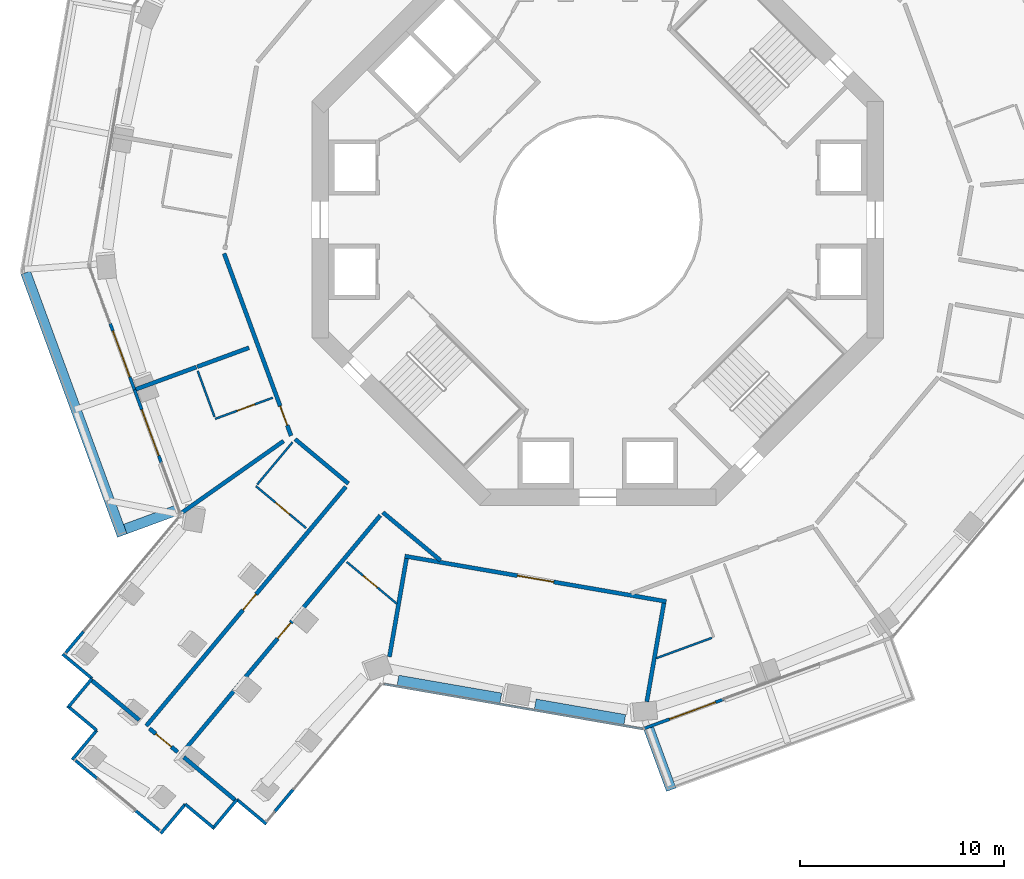
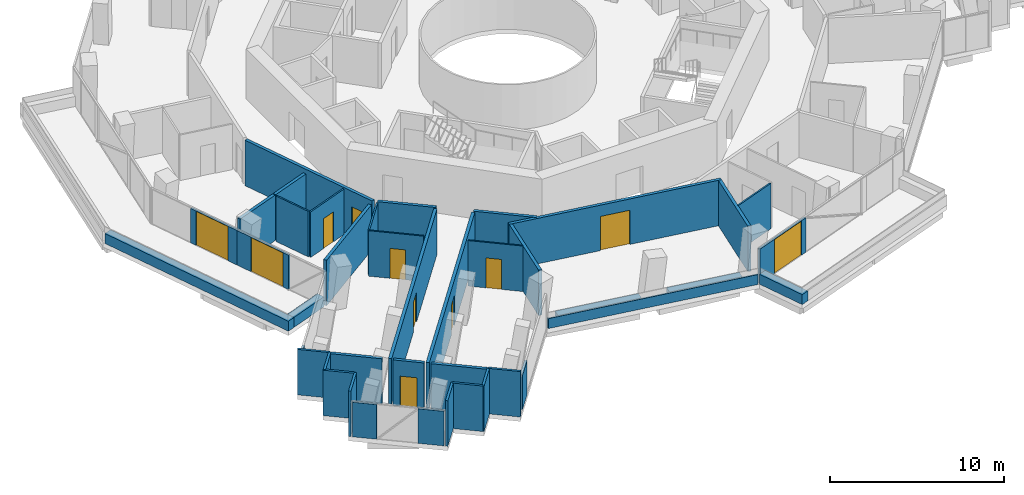
# One storey, part 16 of 24: 41 walls, 11 doors, 11 openings.
"""IFC4 building model written with IfcOpenShell, lengths in metres."""

from ifc_helpers import new_model, si_unit, direction, frame, frame_2d, origin, place, context, subcontext, project, spatial, rectangle, extrude, material, layer, layer_set, type_object, element, fill, save


model = new_model("IFC4")

# Units and contexts
model_context = context("Model", 3, precision=1e-05, world=origin(), true_north=direction((0.0, 1.0)))
body_context = subcontext(model_context, "Body", "Model", "MODEL_VIEW")
ifc_project = project(units=[si_unit("LENGTHUNIT", "METRE"), si_unit("AREAUNIT", "SQUARE_METRE"), si_unit("VOLUMEUNIT", "CUBIC_METRE"), si_unit("PLANEANGLEUNIT", "RADIAN"), si_unit("MASSUNIT", "GRAM", prefix="KILO")], contexts=[model_context])

# Site, building, storey
site_placement = place(None, origin())
site = spatial("IfcSite", under=ifc_project, at=site_placement, CompositionType="ELEMENT")
building_placement = place(site_placement, origin())
building = spatial("IfcBuilding", under=site, at=building_placement, Name="Verdalira Terraces Hotel", CompositionType="ELEMENT")
storey_placement = place(building_placement, frame((0.0, 0.0, 115.0)))
storey = spatial("IfcBuildingStorey", under=building, at=storey_placement, Name="L27", CompositionType="ELEMENT", Elevation=115.0)

# Walls
ifc_material_1 = material(Name="Concrete C40", Category="concrete")
ifc_layer_1 = layer(ifc_material_1, 0.5)
ifc_layer_set_1 = layer_set([ifc_layer_1], Name="Balcony planter trough with tree")
wall_type_1 = type_object("IfcWallType", Name="Balcony planter trough with tree", PredefinedType="SOLIDWALL", material=ifc_layer_set_1)
wall_1_placement = place(storey_placement, frame((-28.031006, -2.596191, 0.0), z_axis=(0.0, 0.0, 1.0), x_axis=(0.344642477, -0.938734022, 0.0)))
element("IfcWall", 1, at=wall_1_placement, inside=storey, type_object=wall_type_1, Name="Balcony planter", PredefinedType="SOLIDWALL", context=body_context, shape_type="SweptSolid", body=[
    extrude(rectangle(XDim=13.723633, YDim=0.5, at=frame_2d((6.861816, 0.0))), origin(), (0.0, 0.0, 1.0), 0.699951),
])
wall_2_placement = place(storey_placement, frame((-23.152588, -15.158203, 0.0), z_axis=(0.0, 0.0, 1.0), x_axis=(0.93869784, 0.344741011, 0.0)))
element("IfcWall", 2, at=wall_2_placement, inside=storey, type_object=wall_type_1, Name="Balcony planter", PredefinedType="SOLIDWALL", context=body_context, shape_type="SweptSolid", body=[
    extrude(rectangle(XDim=2.698975, YDim=0.5, at=frame_2d((1.349609, 0.0))), origin(), (0.0, 0.0, 1.0), 0.699951),
])
wall_3_placement = place(storey_placement, frame((2.493652, -24.927002, 0.0), z_axis=(0.0, 0.0, 1.0), x_axis=(0.344633575, -0.93873729, 0.0)))
element("IfcWall", 3, at=wall_3_placement, inside=storey, type_object=wall_type_1, Name="Balcony planter", PredefinedType="SOLIDWALL", context=body_context, shape_type="SweptSolid", body=[
    extrude(rectangle(XDim=3.199219, YDim=0.5, at=frame_2d((1.599609, 0.0))), origin(), (0.0, 0.0, 1.0), 0.699951),
])
ifc_material_2 = material(Name="Moisture-resistant gypsum board partition")
ifc_layer_2 = layer(ifc_material_2, 0.10009765625)
ifc_layer_set_2 = layer_set([ifc_layer_2], Name="Bathroom partition 100 mm")
wall_type_2 = type_object("IfcWallType", Name="Bathroom partition 100 mm", PredefinedType="PARTITIONING", material=ifc_layer_set_2)
wall_4_placement = place(storey_placement, frame((-18.77832, -9.663818, 0.0), z_axis=(0.0, 0.0, 1.0), x_axis=(-0.34464917, 0.938731564, 0.0)))
element("IfcWall", 4, at=wall_4_placement, inside=storey, type_object=wall_type_2, Name="Bathroom partition", PredefinedType="PARTITIONING", context=body_context, shape_type="SweptSolid", body=[
    extrude(rectangle(XDim=2.399902, YDim=0.100098, at=frame_2d((1.199951, 0.0))), origin(), (0.0, 0.0, 1.0), 3.189941),
])

# Wall, opening, door
wall_5_placement = place(storey_placement, frame((-18.743896, -9.757812, 0.0), z_axis=(0.0, 0.0, 1.0), x_axis=(0.93874123, 0.344622842, 0.0)))
wall_5 = element("IfcWall", 5, at=wall_5_placement, inside=storey, type_object=wall_type_2, Name="Bathroom partition", PredefinedType="PARTITIONING", context=body_context, shape_type="SweptSolid", body=[
    extrude(rectangle(XDim=3.000244, YDim=0.100098, at=frame_2d((1.5, 0.0))), origin(), (0.0, 0.0, 1.0), 3.189941),
])
opening_1_placement = place(wall_5_placement, frame((1.149902, 0.0, 0.0)))
opening_1 = element("IfcOpeningElement", 6, at=opening_1_placement, cuts=wall_5, Name="Opening L27-111", PredefinedType="OPENING", context=body_context, shape_type="SweptSolid", body=[
    extrude(rectangle(XDim=0.899902, YDim=2.100098, at=frame_2d((0.449951, 1.050049))), frame((0.0, 0.060059, 0.0), z_axis=(0.0, -1.0, 0.0), x_axis=(1.0, 0.0, 0.0)), (0.0, 0.0, 1.0), 0.120117),
])
ifc_material_3 = material(Name="Timber door", Category="wood")
door_type_1 = type_object("IfcDoorType", Name="Bathroom door 900 x 2100", OperationType="NOTDEFINED", PredefinedType="DOOR", material=ifc_material_3)
door_1_placement = place(opening_1_placement, origin())
door_1 = element("IfcDoor", 7, at=door_1_placement, inside=storey, type_object=door_type_1, Name="Bathroom door 2705", OperationType="SINGLE_SWING_LEFT", OverallHeight=2.10009765625, OverallWidth=0.89990234375, PredefinedType="DOOR", context=body_context, shape_type="SweptSolid", body=[
    extrude(rectangle(XDim=0.899902, YDim=2.100098, at=frame_2d((0.449951, 1.050049))), frame((0.0, 0.024902, 0.0), z_axis=(0.0, -1.0, 0.0), x_axis=(1.0, 0.0, 0.0)), (0.0, 0.0, 1.0), 0.050049),
])
fill(opening_1, door_1)

# Wall
wall_6_placement = place(storey_placement, frame((-16.689941, -12.979248, 0.0), z_axis=(0.0, 0.0, 1.0), x_axis=(0.640673464, 0.767813462, 0.0)))
element("IfcWall", 8, at=wall_6_placement, inside=storey, type_object=wall_type_2, Name="Bathroom partition", PredefinedType="PARTITIONING", context=body_context, shape_type="SweptSolid", body=[
    extrude(rectangle(XDim=2.699951, YDim=0.100098, at=frame_2d((1.350098, 0.0))), origin(), (0.0, 0.0, 1.0), 3.189941),
])

# Wall, opening, door
wall_7_placement = place(storey_placement, frame((-16.753906, -13.056152, 0.0), z_axis=(0.0, 0.0, 1.0), x_axis=(0.76783341, -0.640649557, 0.0)))
wall_7 = element("IfcWall", 9, at=wall_7_placement, inside=storey, type_object=wall_type_2, Name="Bathroom partition", PredefinedType="PARTITIONING", context=body_context, shape_type="SweptSolid", body=[
    extrude(rectangle(XDim=3.199951, YDim=0.100098, at=frame_2d((1.600098, 0.0))), origin(), (0.0, 0.0, 1.0), 3.189941),
])
opening_2_placement = place(wall_7_placement, frame((1.25, 0.0, 0.0)))
opening_2 = element("IfcOpeningElement", 10, at=opening_2_placement, cuts=wall_7, Name="Opening L27-113", PredefinedType="OPENING", context=body_context, shape_type="SweptSolid", body=[
    extrude(rectangle(XDim=0.899902, YDim=2.100098, at=frame_2d((0.449951, 1.050049))), frame((0.0, 0.060059, 0.0), z_axis=(0.0, -1.0, 0.0), x_axis=(1.0, 0.0, 0.0)), (0.0, 0.0, 1.0), 0.120117),
])
door_2_placement = place(opening_2_placement, origin())
door_2 = element("IfcDoor", 11, at=door_2_placement, inside=storey, type_object=door_type_1, Name="Bathroom door 2706", OperationType="SINGLE_SWING_LEFT", OverallHeight=2.10009765625, OverallWidth=0.89990234375, PredefinedType="DOOR", context=body_context, shape_type="SweptSolid", body=[
    extrude(rectangle(XDim=0.899902, YDim=2.100098, at=frame_2d((0.449951, 1.050049))), frame((0.0, 0.024902, 0.0), z_axis=(0.0, -1.0, 0.0), x_axis=(1.0, 0.0, 0.0)), (0.0, 0.0, 1.0), 0.050049),
])
fill(opening_2, door_2)

wall_8_placement = place(storey_placement, frame((-12.300537, -16.771729, 0.0), z_axis=(0.0, 0.0, 1.0), x_axis=(0.767845845, -0.640634652, 0.0)))
wall_8 = element("IfcWall", 12, at=wall_8_placement, inside=storey, type_object=wall_type_2, Name="Bathroom partition", PredefinedType="PARTITIONING", context=body_context, shape_type="SweptSolid", body=[
    extrude(rectangle(XDim=3.199219, YDim=0.100098, at=frame_2d((1.599609, 0.0))), origin(), (0.0, 0.0, 1.0), 3.189941),
])
opening_3_placement = place(wall_8_placement, frame((1.050049, 0.0, 0.0)))
opening_3 = element("IfcOpeningElement", 13, at=opening_3_placement, cuts=wall_8, Name="Opening L27-116", PredefinedType="OPENING", context=body_context, shape_type="SweptSolid", body=[
    extrude(rectangle(XDim=0.899902, YDim=2.100098, at=frame_2d((0.449951, 1.050049))), frame((0.0, 0.060059, 0.0), z_axis=(0.0, -1.0, 0.0), x_axis=(1.0, 0.0, 0.0)), (0.0, 0.0, 1.0), 0.120117),
])
door_3_placement = place(opening_3_placement, origin())
door_3 = element("IfcDoor", 14, at=door_3_placement, inside=storey, type_object=door_type_1, Name="Bathroom door 2708", OperationType="SINGLE_SWING_RIGHT", OverallHeight=2.10009765625, OverallWidth=0.89990234375, PredefinedType="DOOR", context=body_context, shape_type="SweptSolid", body=[
    extrude(rectangle(XDim=0.899902, YDim=2.100098, at=frame_2d((0.449951, 1.050049))), frame((0.0, 0.024902, 0.0), z_axis=(0.0, -1.0, 0.0), x_axis=(1.0, 0.0, 0.0)), (0.0, 0.0, 1.0), 0.050049),
])
fill(opening_3, door_3)

# Walls
wall_9_placement = place(storey_placement, frame((2.851807, -21.492188, 0.0), z_axis=(0.0, 0.0, 1.0), x_axis=(0.938746168, 0.344609392, 0.0)))
element("IfcWall", 15, at=wall_9_placement, inside=storey, type_object=wall_type_2, Name="Bathroom partition", PredefinedType="PARTITIONING", context=body_context, shape_type="SweptSolid", body=[
    extrude(rectangle(XDim=2.911865, YDim=0.100098, at=frame_2d((1.456055, 0.0))), origin(), (0.0, 0.0, 1.0), 3.189941),
])
ifc_material_4 = material(Name="Fire-rated gypsum board wall")
ifc_layer_3 = layer(ifc_material_4, 0.199951171875)
ifc_layer_set_3 = layer_set([ifc_layer_3], Name="Demising wall 200 mm")
wall_type_3 = type_object("IfcWallType", Name="Demising wall 200 mm", PredefinedType="SOLIDWALL", material=ifc_layer_set_3)
wall_10_placement = place(storey_placement, frame((-24.774414, -22.59082, 0.0), z_axis=(0.0, 0.0, 1.0), x_axis=(0.767861276, -0.640616157, 0.0)))
element("IfcWall", 16, at=wall_10_placement, inside=storey, type_object=wall_type_3, Name="Demising wall", PredefinedType="SOLIDWALL", context=body_context, shape_type="SweptSolid", body=[
    extrude(rectangle(XDim=3.002686, YDim=0.199951, at=frame_2d((1.501465, 0.0))), origin(), (0.0, 0.0, 1.0), 3.189941),
])
wall_11_placement = place(storey_placement, frame((-19.672363, -7.222412, 0.0), z_axis=(0.0, 0.0, 1.0), x_axis=(-0.938751082, -0.344596004, 0.0)))
element("IfcWall", 17, at=wall_11_placement, inside=storey, type_object=wall_type_3, Name="Demising wall", PredefinedType="SOLIDWALL", context=body_context, shape_type="SweptSolid", body=[
    extrude(rectangle(XDim=3.1521, YDim=0.199951, at=frame_2d((1.576172, 0.0))), origin(), (0.0, 0.0, 1.0), 3.189941),
])
wall_12_placement = place(storey_placement, frame((-20.28418, -26.337402, 0.0), z_axis=(0.0, 0.0, 1.0), x_axis=(0.767864248, -0.640612595, 0.0)))
element("IfcWall", 18, at=wall_12_placement, inside=storey, type_object=wall_type_3, Name="Demising wall", PredefinedType="SOLIDWALL", context=body_context, shape_type="SweptSolid", body=[
    extrude(rectangle(XDim=3.251953, YDim=0.199951, at=frame_2d((1.625977, 0.0))), origin(), (0.0, 0.0, 1.0), 3.189941),
])
wall_13_placement = place(storey_placement, frame((-17.090088, -6.274414, 0.0), z_axis=(0.0, 0.0, 1.0), x_axis=(-0.938740096, -0.344625931, 0.0)))
element("IfcWall", 19, at=wall_13_placement, inside=storey, type_object=wall_type_3, Name="Demising wall", PredefinedType="SOLIDWALL", context=body_context, shape_type="SweptSolid", body=[
    extrude(rectangle(XDim=2.704834, YDim=0.199951, at=frame_2d((1.352539, 0.0))), origin(), (0.0, 0.0, 1.0), 3.189941),
])
wall_14_placement = place(storey_placement, frame((-15.395996, -10.844482, 0.0), z_axis=(0.0, 0.0, 1.0), x_axis=(-0.817522478, -0.575896691, 0.0)))
element("IfcWall", 20, at=wall_14_placement, inside=storey, type_object=wall_type_3, Name="Demising wall", PredefinedType="SOLIDWALL", context=body_context, shape_type="SweptSolid", body=[
    extrude(rectangle(XDim=6.13208, YDim=0.199951, at=frame_2d((3.065918, 0.0))), origin(), (0.0, 0.0, 1.0), 3.189941),
])

# Wall, opening, door
ifc_material_5 = material(Name="Fire-rated gypsum board wall")
ifc_layer_4 = layer(ifc_material_5, 0.199951171875)
ifc_layer_set_4 = layer_set([ifc_layer_4], Name="Guest corridor wall 200 mm")
wall_type_4 = type_object("IfcWallType", Name="Guest corridor wall 200 mm", PredefinedType="SOLIDWALL", material=ifc_layer_set_4)
wall_15_placement = place(storey_placement, frame((-20.588135, -26.083496, 0.0), z_axis=(0.0, 0.0, 1.0), x_axis=(-0.767854649, 0.640624101, 0.0)))
wall_15 = element("IfcWall", 21, at=wall_15_placement, inside=storey, type_object=wall_type_4, Name="Guest corridor wall", PredefinedType="SOLIDWALL", context=body_context, shape_type="SweptSolid", body=[
    extrude(rectangle(XDim=1.801758, YDim=0.199951, at=frame_2d((0.900879, 0.0))), origin(), (0.0, 0.0, 1.0), 3.189941),
])
opening_4_placement = place(wall_15_placement, frame((0.399902, 0.0, 0.0)))
opening_4 = element("IfcOpeningElement", 22, at=opening_4_placement, cuts=wall_15, Name="Opening L27-114", PredefinedType="OPENING", context=body_context, shape_type="SweptSolid", body=[
    extrude(rectangle(XDim=1.0, YDim=2.100098, at=frame_2d((0.5, 1.050049))), frame((0.0, 0.109863, 0.0), z_axis=(0.0, -1.0, 0.0), x_axis=(1.0, 0.0, 0.0)), (0.0, 0.0, 1.0), 0.219971),
])
ifc_material_6 = material(Name="Timber door", Category="wood")
door_type_2 = type_object("IfcDoorType", Name="Lounge door 1000 x 2100", OperationType="NOTDEFINED", PredefinedType="DOOR", material=ifc_material_6)
door_4_placement = place(opening_4_placement, origin())
door_4 = element("IfcDoor", 23, at=door_4_placement, inside=storey, type_object=door_type_2, Name="Lounge door 2707", OperationType="SINGLE_SWING_LEFT", OverallHeight=2.10009765625, OverallWidth=1.0, PredefinedType="DOOR", context=body_context, shape_type="SweptSolid", body=[
    extrude(rectangle(XDim=1.0, YDim=2.100098, at=frame_2d((0.5, 1.050049))), frame((0.0, 0.024902, 0.0), z_axis=(0.0, -1.0, 0.0), x_axis=(1.0, 0.0, 0.0)), (0.0, 0.0, 1.0), 0.050049),
])
fill(opening_4, door_4)

wall_16_placement = place(storey_placement, frame((-22.125488, -24.801025, 0.0), z_axis=(0.0, 0.0, 1.0), x_axis=(0.640651676, 0.767831642, 0.0)))
wall_16 = element("IfcWall", 24, at=wall_16_placement, inside=storey, type_object=wall_type_4, Name="Guest corridor wall", PredefinedType="SOLIDWALL", context=body_context, shape_type="SweptSolid", body=[
    extrude(rectangle(XDim=15.259277, YDim=0.199951, at=frame_2d((7.629639, 0.0))), origin(), (0.0, 0.0, 1.0), 3.189941),
])
opening_5_placement = place(wall_16_placement, frame((7.399902, 0.0, 0.0)))
opening_5 = element("IfcOpeningElement", 25, at=opening_5_placement, cuts=wall_16, Name="Opening L27-112", PredefinedType="OPENING", context=body_context, shape_type="SweptSolid", body=[
    extrude(rectangle(XDim=1.0, YDim=2.100098, at=frame_2d((0.5, 1.050049))), frame((0.0, 0.109863, 0.0), z_axis=(0.0, -1.0, 0.0), x_axis=(1.0, 0.0, 0.0)), (0.0, 0.0, 1.0), 0.219971),
])
ifc_material_7 = material(Name="Timber fire door", Category="wood")
door_type_3 = type_object("IfcDoorType", Name="Guest entry door 1000 x 2100", OperationType="NOTDEFINED", PredefinedType="DOOR", material=ifc_material_7)
door_5_placement = place(opening_5_placement, origin())
door_5 = element("IfcDoor", 26, at=door_5_placement, inside=storey, type_object=door_type_3, Name="Guest entry door 2706", OperationType="SINGLE_SWING_LEFT", OverallHeight=2.10009765625, OverallWidth=1.0, PredefinedType="DOOR", context=body_context, shape_type="SweptSolid", body=[
    extrude(rectangle(XDim=1.0, YDim=2.100098, at=frame_2d((0.5, 1.050049))), frame((0.0, 0.024902, 0.0), z_axis=(0.0, -1.0, 0.0), x_axis=(1.0, 0.0, 0.0)), (0.0, 0.0, 1.0), 0.050049),
])
fill(opening_5, door_5)

wall_17_placement = place(storey_placement, frame((-15.030518, -10.587158, 0.0), z_axis=(0.0, 0.0, 1.0), x_axis=(-0.34463154, 0.938738037, 0.0)))
wall_17 = element("IfcWall", 27, at=wall_17_placement, inside=storey, type_object=wall_type_4, Name="Guest corridor wall", PredefinedType="SOLIDWALL", context=body_context, shape_type="SweptSolid", body=[
    extrude(rectangle(XDim=9.516113, YDim=0.199951, at=frame_2d((4.758057, 0.0))), origin(), (0.0, 0.0, 1.0), 3.189941),
])
opening_6_placement = place(wall_17_placement, frame((0.550049, 0.0, 0.0)))
opening_6 = element("IfcOpeningElement", 28, at=opening_6_placement, cuts=wall_17, Name="Opening L27-110", PredefinedType="OPENING", context=body_context, shape_type="SweptSolid", body=[
    extrude(rectangle(XDim=1.0, YDim=2.100098, at=frame_2d((0.5, 1.050049))), frame((0.0, 0.109863, 0.0), z_axis=(0.0, -1.0, 0.0), x_axis=(1.0, 0.0, 0.0)), (0.0, 0.0, 1.0), 0.219971),
])
door_6_placement = place(opening_6_placement, origin())
door_6 = element("IfcDoor", 29, at=door_6_placement, inside=storey, type_object=door_type_3, Name="Guest entry door 2705", OperationType="SINGLE_SWING_LEFT", OverallHeight=2.10009765625, OverallWidth=1.0, PredefinedType="DOOR", context=body_context, shape_type="SweptSolid", body=[
    extrude(rectangle(XDim=1.0, YDim=2.100098, at=frame_2d((0.5, 1.050049))), frame((0.0, 0.024902, 0.0), z_axis=(0.0, -1.0, 0.0), x_axis=(1.0, 0.0, 0.0)), (0.0, 0.0, 1.0), 0.050049),
])
fill(opening_6, door_6)

wall_18_placement = place(storey_placement, frame((-10.6604, -14.493896, 0.0), z_axis=(0.0, 0.0, 1.0), x_axis=(-0.640642243, -0.767839512, 0.0)))
wall_18 = element("IfcWall", 30, at=wall_18_placement, inside=storey, type_object=wall_type_4, Name="Guest corridor wall", PredefinedType="SOLIDWALL", context=body_context, shape_type="SweptSolid", body=[
    extrude(rectangle(XDim=15.259033, YDim=0.199951, at=frame_2d((7.629395, 0.0))), origin(), (0.0, 0.0, 1.0), 3.189941),
])
opening_7_placement = place(wall_18_placement, frame((6.850098, 0.0, 0.0)))
opening_7 = element("IfcOpeningElement", 31, at=opening_7_placement, cuts=wall_18, Name="Opening L27-115", PredefinedType="OPENING", context=body_context, shape_type="SweptSolid", body=[
    extrude(rectangle(XDim=1.0, YDim=2.100098, at=frame_2d((0.5, 1.050049))), frame((0.0, 0.109863, 0.0), z_axis=(0.0, -1.0, 0.0), x_axis=(1.0, 0.0, 0.0)), (0.0, 0.0, 1.0), 0.219971),
])
door_7_placement = place(opening_7_placement, origin())
door_7 = element("IfcDoor", 32, at=door_7_placement, inside=storey, type_object=door_type_3, Name="Guest entry door 2708", OperationType="SINGLE_SWING_RIGHT", OverallHeight=2.10009765625, OverallWidth=1.0, PredefinedType="DOOR", context=body_context, shape_type="SweptSolid", body=[
    extrude(rectangle(XDim=1.0, YDim=2.100098, at=frame_2d((0.5, 1.050049))), frame((0.0, 0.024902, 0.0), z_axis=(0.0, -1.0, 0.0), x_axis=(1.0, 0.0, 0.0)), (0.0, 0.0, 1.0), 0.050049),
])
fill(opening_7, door_7)

# Walls
wall_19_placement = place(storey_placement, frame((-14.832031, -10.752686, 0.0), z_axis=(0.0, 0.0, 1.0), x_axis=(0.767826787, -0.640657495, 0.0)))
element("IfcWall", 33, at=wall_19_placement, inside=storey, type_object=wall_type_4, Name="Guest corridor wall", PredefinedType="SOLIDWALL", context=body_context, shape_type="SweptSolid", body=[
    extrude(rectangle(XDim=3.399902, YDim=0.199951, at=frame_2d((1.699951, 0.0))), origin(), (0.0, 0.0, 1.0), 3.189941),
])
wall_20_placement = place(storey_placement, frame((-10.531982, -14.340088, 0.0), z_axis=(0.0, 0.0, 1.0), x_axis=(0.767796762, -0.640693477, 0.0)))
element("IfcWall", 34, at=wall_20_placement, inside=storey, type_object=wall_type_4, Name="Guest corridor wall", PredefinedType="SOLIDWALL", context=body_context, shape_type="SweptSolid", body=[
    extrude(rectangle(XDim=3.678223, YDim=0.199951, at=frame_2d((1.839111, 0.0))), origin(), (0.0, 0.0, 1.0), 3.189941),
])

# Wall, opening, door
ifc_material_8 = material(Name="Terracotta cladding", Category="masonry")
ifc_layer_5 = layer(ifc_material_8, 0.199951171875)
ifc_layer_set_5 = layer_set([ifc_layer_5], Name="Loggia back wall 200")
wall_type_5 = type_object("IfcWallType", Name="Loggia back wall 200", PredefinedType="SOLIDWALL", material=ifc_layer_set_5)
wall_21_placement = place(storey_placement, frame((3.352539, -18.706543, 0.0), z_axis=(0.0, 0.0, 1.0), x_axis=(-0.985288842, 0.170897331, 0.0)))
wall_21 = element("IfcWall", 35, at=wall_21_placement, inside=storey, type_object=wall_type_5, Name="Loggia back wall", PredefinedType="SOLIDWALL", context=body_context, shape_type="SweptSolid", body=[
    extrude(rectangle(XDim=13.0, YDim=0.199951, at=frame_2d((6.5, 0.0))), origin(), (0.0, 0.0, 1.0), 3.189941),
])
opening_8_placement = place(wall_21_placement, frame((5.600098, 0.0, 0.0)))
opening_8 = element("IfcOpeningElement", 36, at=opening_8_placement, cuts=wall_21, Name="Opening L27-L01", PredefinedType="OPENING", context=body_context, shape_type="SweptSolid", body=[
    extrude(rectangle(XDim=1.800049, YDim=2.399902, at=frame_2d((0.899902, 1.199951))), frame((0.0, 0.109863, 0.0), z_axis=(0.0, -1.0, 0.0), x_axis=(1.0, 0.0, 0.0)), (0.0, 0.0, 1.0), 0.219971),
])
ifc_material_9 = material(Name="Clear glass", Category="glass")
door_type_4 = type_object("IfcDoorType", Name="Garden double door 1800x2400", OperationType="NOTDEFINED", PredefinedType="DOOR", material=ifc_material_9)
door_8_placement = place(opening_8_placement, origin())
door_8 = element("IfcDoor", 37, at=door_8_placement, inside=storey, type_object=door_type_4, Name="Loggia double door", OperationType="DOUBLE_DOOR_SINGLE_SWING", OverallHeight=2.39990234375, OverallWidth=1.800048828125, PredefinedType="DOOR", context=body_context, shape_type="SweptSolid", body=[
    extrude(rectangle(XDim=1.800049, YDim=2.399902, at=frame_2d((0.899902, 1.199951))), frame((0.0, 0.024902, 0.0), z_axis=(0.0, -1.0, 0.0), x_axis=(1.0, 0.0, 0.0)), (0.0, 0.0, 1.0), 0.050049),
])
fill(opening_8, door_8)

# Walls
wall_22_placement = place(storey_placement, frame((-10.210449, -21.417969, 0.0), z_axis=(0.0, 0.0, 1.0), x_axis=(0.170864929, 0.985294462, 0.0)))
element("IfcWall", 38, at=wall_22_placement, inside=storey, type_object=wall_type_5, Name="Loggia side wall", PredefinedType="SOLIDWALL", context=body_context, shape_type="SweptSolid", body=[
    extrude(rectangle(XDim=4.889648, YDim=0.199951, at=frame_2d((2.444824, 0.0))), origin(), (0.0, 0.0, 1.0), 3.189941),
])
wall_23_placement = place(storey_placement, frame((2.398682, -23.619629, 0.0), z_axis=(0.0, 0.0, 1.0), x_axis=(0.170910453, 0.985286566, 0.0)))
element("IfcWall", 39, at=wall_23_placement, inside=storey, type_object=wall_type_5, Name="Loggia side wall", PredefinedType="SOLIDWALL", context=body_context, shape_type="SweptSolid", body=[
    extrude(rectangle(XDim=4.904053, YDim=0.199951, at=frame_2d((2.452148, 0.0))), origin(), (0.0, 0.0, 1.0), 3.189941),
])
ifc_material_10 = material(Name="Concrete C40", Category="concrete")
ifc_layer_6 = layer(ifc_material_10, 0.5)
ifc_layer_set_6 = layer_set([ifc_layer_6], Name="Loggia planter trough with tree")
wall_type_6 = type_object("IfcWallType", Name="Loggia planter trough with tree", PredefinedType="SOLIDWALL", material=ifc_layer_set_6)
wall_24_placement = place(storey_placement, frame((-9.792236, -22.566895, 0.0), z_axis=(0.0, 0.0, 1.0), x_axis=(0.985293242, -0.17087196, 0.0)))
element("IfcWall", 40, at=wall_24_placement, inside=storey, type_object=wall_type_6, Name="Loggia planter", PredefinedType="SOLIDWALL", context=body_context, shape_type="SweptSolid", body=[
    extrude(rectangle(XDim=5.116455, YDim=0.5, at=frame_2d((2.558105, 0.0))), origin(), (0.0, 0.0, 1.0), 0.699951),
])
wall_25_placement = place(storey_placement, frame((-3.065674, -23.733643, 0.0), z_axis=(0.0, 0.0, 1.0), x_axis=(0.985288091, -0.170901662, 0.0)))
element("IfcWall", 41, at=wall_25_placement, inside=storey, type_object=wall_type_6, Name="Loggia planter", PredefinedType="SOLIDWALL", context=body_context, shape_type="SweptSolid", body=[
    extrude(rectangle(XDim=4.454102, YDim=0.5, at=frame_2d((2.227051, 0.0))), origin(), (0.0, 0.0, 1.0), 0.699951),
])
ifc_material_11 = material(Name="Concrete C40", Category="concrete")
ifc_layer_7 = layer(ifc_material_11, 0.10009765625)
ifc_layer_set_7 = layer_set([ifc_layer_7], Name="Loggia upstand 100")
wall_type_7 = type_object("IfcWallType", Name="Loggia upstand 100", PredefinedType="SOLIDWALL", material=ifc_layer_set_7)
wall_26_placement = place(storey_placement, frame((-10.462646, -22.755127, 0.0), z_axis=(0.0, 0.0, 1.0), x_axis=(0.985288688, -0.170898217, 0.0)))
element("IfcWall", 42, at=wall_26_placement, inside=storey, type_object=wall_type_7, Name="Loggia upstand", PredefinedType="SOLIDWALL", context=body_context, shape_type="SweptSolid", body=[
    extrude(rectangle(XDim=12.840088, YDim=0.100098, at=frame_2d((6.419922, 0.0))), origin(), (0.0, 0.0, 1.0), 0.699951),
])
ifc_material_12 = material(Name="Terracotta cladding", Category="masonry")
ifc_layer_8 = layer(ifc_material_12, 0.14990234375)
ifc_layer_set_8 = layer_set([ifc_layer_8], Name="Terracotta clad wall 150")
wall_type_8 = type_object("IfcWallType", Name="Terracotta clad wall 150", PredefinedType="SOLIDWALL", material=ifc_layer_set_8)
wall_27_placement = place(storey_placement, frame((-26.223633, -21.283936, 0.0), z_axis=(0.0, 0.0, 1.0), x_axis=(0.767847596, -0.640632554, 0.0)))
element("IfcWall", 43, at=wall_27_placement, inside=storey, type_object=wall_type_8, Name="Terracotta cladding wall", PredefinedType="SOLIDWALL", context=body_context, shape_type="SweptSolid", body=[
    extrude(rectangle(XDim=1.875, YDim=0.149902, at=frame_2d((0.9375, 0.0))), origin(), (0.0, 0.0, 1.0), 3.189941),
])
wall_28_placement = place(storey_placement, frame((-24.783936, -22.485107, 0.0), z_axis=(0.0, 0.0, 1.0), x_axis=(-0.640624566, -0.76785426, 0.0)))
element("IfcWall", 44, at=wall_28_placement, inside=storey, type_object=wall_type_8, Name="Terracotta cladding wall", PredefinedType="SOLIDWALL", context=body_context, shape_type="SweptSolid", body=[
    extrude(rectangle(XDim=1.799805, YDim=0.149902, at=frame_2d((0.899902, 0.0))), origin(), (0.0, 0.0, 1.0), 3.189941),
])
wall_29_placement = place(storey_placement, frame((-25.994629, -23.819336, 0.0), z_axis=(0.0, 0.0, 1.0), x_axis=(0.767847596, -0.640632554, 0.0)))
element("IfcWall", 45, at=wall_29_placement, inside=storey, type_object=wall_type_8, Name="Terracotta cladding wall", PredefinedType="SOLIDWALL", context=body_context, shape_type="SweptSolid", body=[
    extrude(rectangle(XDim=1.875, YDim=0.149902, at=frame_2d((0.9375, 0.0))), origin(), (0.0, 0.0, 1.0), 3.189941),
])
wall_30_placement = place(storey_placement, frame((-24.554932, -25.020508, 0.0), z_axis=(0.0, 0.0, 1.0), x_axis=(-0.640709315, -0.767783546, 0.0)))
element("IfcWall", 46, at=wall_30_placement, inside=storey, type_object=wall_type_8, Name="Terracotta cladding wall", PredefinedType="SOLIDWALL", context=body_context, shape_type="SweptSolid", body=[
    extrude(rectangle(XDim=1.875244, YDim=0.149902, at=frame_2d((0.9375, 0.0))), origin(), (0.0, 0.0, 1.0), 3.189941),
])
wall_31_placement = place(storey_placement, frame((-21.417969, -30.079834, 0.0), z_axis=(0.0, 0.0, 1.0), x_axis=(0.640632554, 0.767847596, 0.0)))
element("IfcWall", 47, at=wall_31_placement, inside=storey, type_object=wall_type_8, Name="Terracotta cladding wall", PredefinedType="SOLIDWALL", context=body_context, shape_type="SweptSolid", body=[
    extrude(rectangle(XDim=1.875, YDim=0.149902, at=frame_2d((0.9375, 0.0))), origin(), (0.0, 0.0, 1.0), 3.189941),
])
wall_32_placement = place(storey_placement, frame((-20.216797, -28.640137, 0.0), z_axis=(0.0, 0.0, 1.0), x_axis=(0.76785426, -0.640624566, 0.0)))
element("IfcWall", 48, at=wall_32_placement, inside=storey, type_object=wall_type_8, Name="Terracotta cladding wall", PredefinedType="SOLIDWALL", context=body_context, shape_type="SweptSolid", body=[
    extrude(rectangle(XDim=1.799805, YDim=0.149902, at=frame_2d((0.899902, 0.0))), origin(), (0.0, 0.0, 1.0), 3.189941),
])
for number, where, z_axis, x_axis, name in (
    (49, (-18.882568, -29.85083, 0.0), (0.0, 0.0, 1.0), (0.640632554, 0.767847596, 0.0), "Terracotta cladding wall"),
    (50, (-17.681396, -28.411133, 0.0), (0.0, 0.0, 1.0), (0.767847596, -0.640632554, 0.0), "Terracotta cladding wall"),
):
    element("IfcWall", number, at=place(storey_placement, frame(where, z_axis=z_axis, x_axis=x_axis)), inside=storey, type_object=wall_type_8, Name=name, PredefinedType="SOLIDWALL", context=body_context, shape_type="SweptSolid", body=[
        extrude(rectangle(XDim=1.875, YDim=0.149902, at=frame_2d((0.9375, 0.0))), origin(), (0.0, 0.0, 1.0), 3.189941),
    ])
ifc_material_13 = material(Name="Terracotta cladding", Category="masonry")
ifc_layer_9 = layer(ifc_material_13, 0.14990234375)
ifc_layer_set_9 = layer_set([ifc_layer_9], Name="Terracotta column pier 150")
wall_type_9 = type_object("IfcWallType", Name="Terracotta column pier 150", PredefinedType="SOLIDWALL", material=ifc_layer_set_9)
wall_33_placement = place(storey_placement, frame((-25.209229, -20.185059, 0.0), z_axis=(0.0, 0.0, 1.0), x_axis=(-0.640611614, -0.767865066, 0.0)))
element("IfcWall", 51, at=wall_33_placement, inside=storey, type_object=wall_type_9, Name="Terracotta column pier", PredefinedType="SOLIDWALL", context=body_context, shape_type="SweptSolid", body=[
    extrude(rectangle(XDim=1.348633, YDim=0.149902, at=frame_2d((0.674316, 0.0))), origin(), (0.0, 0.0, 1.0), 2.425049),
])
wall_34_placement = place(storey_placement, frame((-25.589111, -26.501953, 0.0), z_axis=(0.0, 0.0, 1.0), x_axis=(0.767853255, -0.640625771, 0.0)))
element("IfcWall", 52, at=wall_34_placement, inside=storey, type_object=wall_type_9, Name="Terracotta column pier", PredefinedType="SOLIDWALL", context=body_context, shape_type="SweptSolid", body=[
    extrude(rectangle(XDim=1.414307, YDim=0.149902, at=frame_2d((0.707031, 0.0))), origin(), (0.0, 0.0, 1.0), 2.425049),
])
wall_35_placement = place(storey_placement, frame((-22.656006, -28.949219, 0.0), z_axis=(0.0, 0.0, 1.0), x_axis=(0.767852473, -0.640626708, 0.0)))
element("IfcWall", 53, at=wall_35_placement, inside=storey, type_object=wall_type_9, Name="Terracotta column pier", PredefinedType="SOLIDWALL", context=body_context, shape_type="SweptSolid", body=[
    extrude(rectangle(XDim=1.519775, YDim=0.149902, at=frame_2d((0.759766, 0.0))), origin(), (0.0, 0.0, 1.0), 2.425049),
])
wall_36_placement = place(storey_placement, frame((-15.847656, -29.022949, 0.0), z_axis=(0.0, 0.0, 1.0), x_axis=(0.640704409, 0.76778764, 0.0)))
element("IfcWall", 54, at=wall_36_placement, inside=storey, type_object=wall_type_9, Name="Terracotta column pier", PredefinedType="SOLIDWALL", context=body_context, shape_type="SweptSolid", body=[
    extrude(rectangle(XDim=1.477295, YDim=0.149902, at=frame_2d((0.73877, 0.0))), origin(), (0.0, 0.0, 1.0), 2.425049),
])

# Wall, opening, door
ifc_material_14 = material(Name="Terracotta cladding", Category="masonry")
ifc_layer_10 = layer(ifc_material_14, 0.14990234375)
ifc_layer_set_10 = layer_set([ifc_layer_10], Name="Terracotta door pier 150")
wall_type_10 = type_object("IfcWallType", Name="Terracotta door pier 150", PredefinedType="SOLIDWALL", material=ifc_layer_set_10)
wall_37_placement = place(storey_placement, frame((-23.899414, -5.07251, 0.0), z_axis=(0.0, 0.0, 1.0), x_axis=(0.344663339, -0.938726362, 0.0)))
wall_37 = element("IfcWall", 55, at=wall_37_placement, inside=storey, type_object=wall_type_10, Name="Terracotta door pier", PredefinedType="SOLIDWALL", context=body_context, shape_type="SweptSolid", body=[
    extrude(rectangle(XDim=3.475098, YDim=0.149902, at=frame_2d((1.737549, 0.0))), origin(), (0.0, 0.0, 1.0), 2.425049),
])
opening_9_placement = place(wall_37_placement, frame((0.399902, 0.0, 0.0)))
opening_9 = element("IfcOpeningElement", 56, at=opening_9_placement, cuts=wall_37, Name="Opening L27-B04", PredefinedType="OPENING", context=body_context, shape_type="SweptSolid", body=[
    extrude(rectangle(XDim=2.399902, YDim=2.399902, at=frame_2d((1.199951, 1.199951))), frame((0.0, 0.084961, 0.0), z_axis=(0.0, -1.0, 0.0), x_axis=(1.0, 0.0, 0.0)), (0.0, 0.0, 1.0), 0.169922),
])
ifc_material_15 = material(Name="Clear glass", Category="glass")
door_type_5 = type_object("IfcDoorType", Name="Balcony sliding door 2400x2400", OperationType="NOTDEFINED", PredefinedType="DOOR", material=ifc_material_15)
door_9_placement = place(opening_9_placement, origin())
door_9 = element("IfcDoor", 57, at=door_9_placement, inside=storey, type_object=door_type_5, Name="Balcony sliding door", OperationType="SLIDING_TO_RIGHT", OverallHeight=2.39990234375, OverallWidth=2.39990234375, PredefinedType="DOOR", context=body_context, shape_type="SweptSolid", body=[
    extrude(rectangle(XDim=2.399902, YDim=2.399902, at=frame_2d((1.199951, 1.199951))), frame((0.0, 0.024902, 0.0), z_axis=(0.0, -1.0, 0.0), x_axis=(1.0, 0.0, 0.0)), (0.0, 0.0, 1.0), 0.050049),
])
fill(opening_9, door_9)

wall_38_placement = place(storey_placement, frame((-22.70166, -8.334717, 0.0), z_axis=(0.0, 0.0, 1.0), x_axis=(0.344634313, -0.938737019, 0.0)))
wall_38 = element("IfcWall", 58, at=wall_38_placement, inside=storey, type_object=wall_type_10, Name="Terracotta door pier", PredefinedType="SOLIDWALL", context=body_context, shape_type="SweptSolid", body=[
    extrude(rectangle(XDim=3.835205, YDim=0.149902, at=frame_2d((1.91748, 0.0))), origin(), (0.0, 0.0, 1.0), 2.425049),
])
opening_10_placement = place(wall_38_placement, frame((1.0354, 0.0, 0.0)))
opening_10 = element("IfcOpeningElement", 59, at=opening_10_placement, cuts=wall_38, Name="Opening L27-B05", PredefinedType="OPENING", context=body_context, shape_type="SweptSolid", body=[
    extrude(rectangle(XDim=2.399902, YDim=2.399902, at=frame_2d((1.199951, 1.199951))), frame((0.0, 0.084961, 0.0), z_axis=(0.0, -1.0, 0.0), x_axis=(1.0, 0.0, 0.0)), (0.0, 0.0, 1.0), 0.169922),
])
door_10_placement = place(opening_10_placement, origin())
door_10 = element("IfcDoor", 60, at=door_10_placement, inside=storey, type_object=door_type_5, Name="Balcony sliding door", OperationType="SLIDING_TO_LEFT", OverallHeight=2.39990234375, OverallWidth=2.39990234375, PredefinedType="DOOR", context=body_context, shape_type="SweptSolid", body=[
    extrude(rectangle(XDim=2.399902, YDim=2.399902, at=frame_2d((1.199951, 1.199951))), frame((0.0, 0.024902, 0.0), z_axis=(0.0, -1.0, 0.0), x_axis=(1.0, 0.0, 0.0)), (0.0, 0.0, 1.0), 0.050049),
])
fill(opening_10, door_10)

wall_39_placement = place(storey_placement, frame((2.289062, -24.921143, 0.0), z_axis=(0.0, 0.0, 1.0), x_axis=(0.938739223, 0.344628308, 0.0)))
wall_39 = element("IfcWall", 61, at=wall_39_placement, inside=storey, type_object=wall_type_10, Name="Terracotta door pier", PredefinedType="SOLIDWALL", context=body_context, shape_type="SweptSolid", body=[
    extrude(rectangle(XDim=4.108154, YDim=0.149902, at=frame_2d((2.054199, 0.0))), origin(), (0.0, 0.0, 1.0), 2.425049),
])
opening_11_placement = place(wall_39_placement, frame((1.308105, 0.0, 0.0)))
opening_11 = element("IfcOpeningElement", 62, at=opening_11_placement, cuts=wall_39, Name="Opening L27-B06", PredefinedType="OPENING", context=body_context, shape_type="SweptSolid", body=[
    extrude(rectangle(XDim=2.399902, YDim=2.399902, at=frame_2d((1.199951, 1.199951))), frame((0.0, 0.084961, 0.0), z_axis=(0.0, -1.0, 0.0), x_axis=(1.0, 0.0, 0.0)), (0.0, 0.0, 1.0), 0.169922),
])
door_11_placement = place(opening_11_placement, origin())
door_11 = element("IfcDoor", 63, at=door_11_placement, inside=storey, type_object=door_type_5, Name="Balcony sliding door", OperationType="SLIDING_TO_LEFT", OverallHeight=2.39990234375, OverallWidth=2.39990234375, PredefinedType="DOOR", context=body_context, shape_type="SweptSolid", body=[
    extrude(rectangle(XDim=2.399902, YDim=2.399902, at=frame_2d((1.199951, 1.199951))), frame((0.0, 0.024902, 0.0), z_axis=(0.0, -1.0, 0.0), x_axis=(1.0, 0.0, 0.0)), (0.0, 0.0, 1.0), 0.050049),
])
fill(opening_11, door_11)

save(model, "model.ifc")
